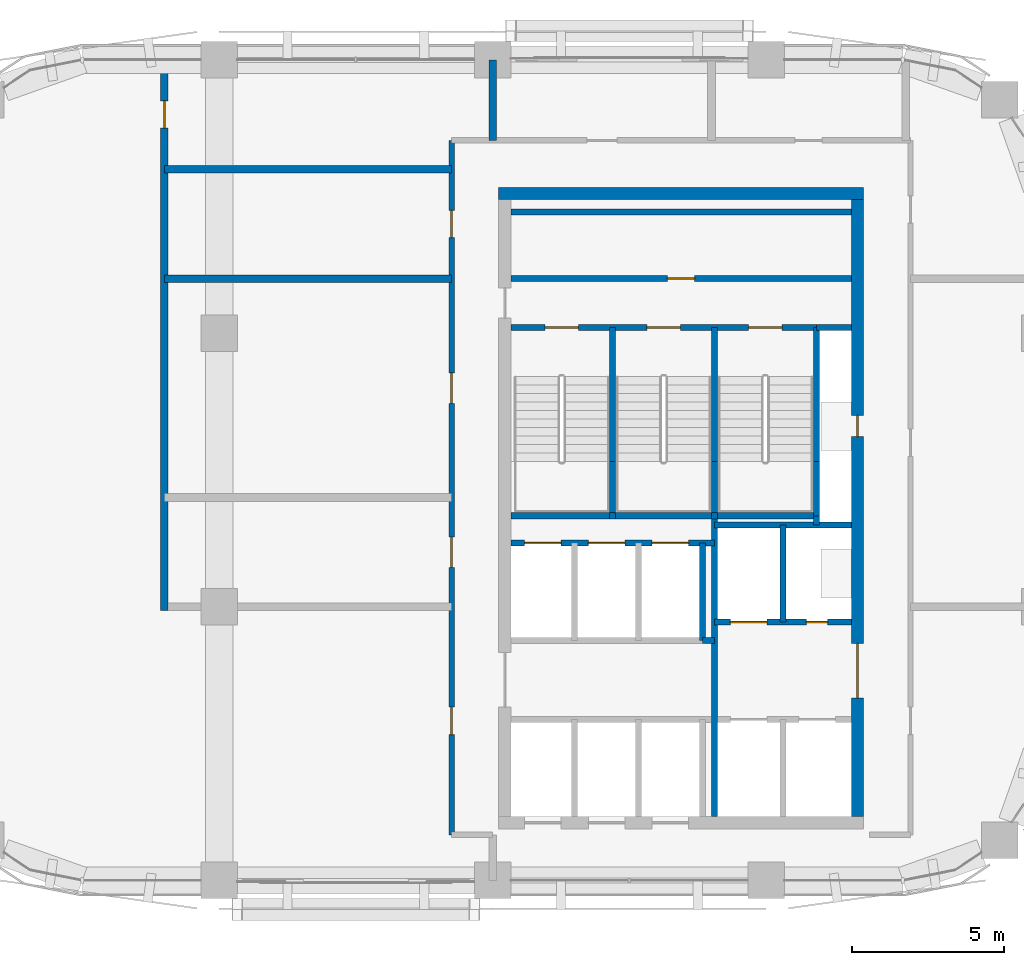
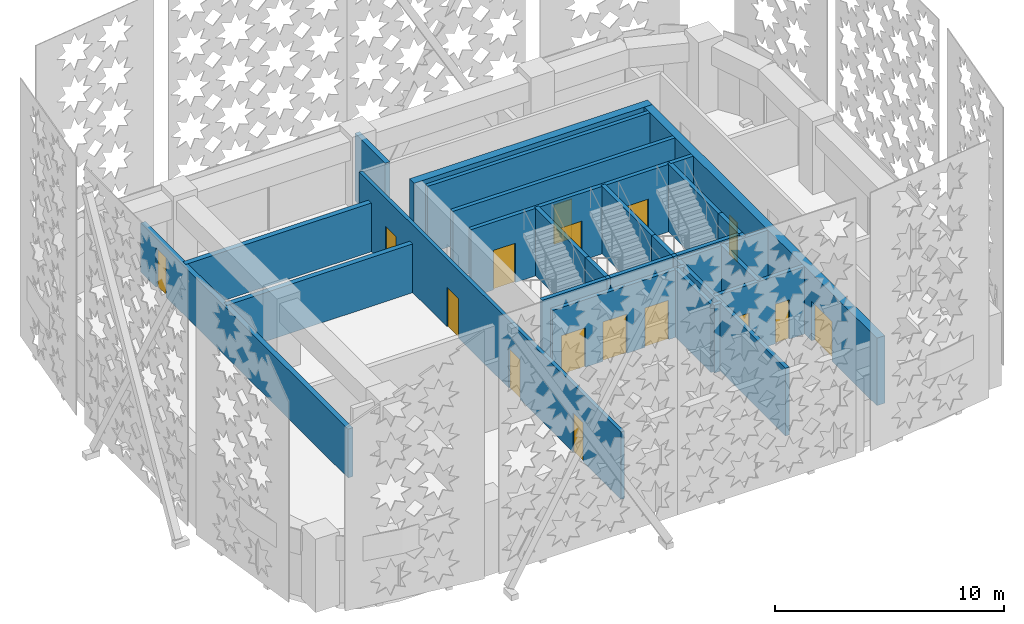
# One storey, part 8 of 17: 30 walls, 16 doors, 16 openings.
"""IFC4 building model written with IfcOpenShell, lengths in metres."""

from ifc_helpers import new_model, si_unit, direction, frame, frame_2d, origin, place, context, subcontext, project, spatial, rectangle, extrude, material, layer, layer_set, type_object, element, fill, save


model = new_model("IFC4")

# Units and contexts
model_context = context("Model", 3, precision=1e-05, world=origin(), true_north=direction((0.0, 1.0)))
body_context = subcontext(model_context, "Body", "Model", "MODEL_VIEW")
ifc_project = project(units=[si_unit("LENGTHUNIT", "METRE"), si_unit("AREAUNIT", "SQUARE_METRE"), si_unit("VOLUMEUNIT", "CUBIC_METRE"), si_unit("PLANEANGLEUNIT", "RADIAN"), si_unit("MASSUNIT", "GRAM", prefix="KILO")], contexts=[model_context])

# Site, building, storey
site_placement = place(None, origin())
site = spatial("IfcSite", under=ifc_project, at=site_placement, CompositionType="ELEMENT")
building_placement = place(site_placement, origin())
building = spatial("IfcBuilding", under=site, at=building_placement, Name="Tessera Arch", CompositionType="ELEMENT")
storey_placement = place(building_placement, frame((0.0, 0.0, 281.300048828125)))
storey = spatial("IfcBuildingStorey", under=building, at=storey_placement, Name="L68", CompositionType="ELEMENT", Elevation=281.300048828125)

# Wall
ifc_material_1 = material(Name="Gypsum board on steel stud", Category="steel")
ifc_layer_1 = layer(ifc_material_1, 0.125)
ifc_layer_set_1 = layer_set([ifc_layer_1], Name="Core partition 125 EI 60")
wall_type_1 = type_object("IfcWallType", Name="Core partition 125 EI 60", PredefinedType="PARTITIONING", material=ifc_layer_set_1)
wall_1_placement = place(storey_placement, frame((42.89990234375, 34.89990234375, 0.0), z_axis=(0.0, 0.0, 1.0), x_axis=(1.0, 0.0, 0.0)))
element("IfcWall", 1, at=wall_1_placement, inside=storey, type_object=wall_type_1, Name="L68 C1 partition wall 18", PredefinedType="PARTITIONING", context=body_context, shape_type="SweptSolid", body=[
    extrude(rectangle(XDim=0.400146484375, YDim=0.199951171875, at=frame_2d((0.2001953125, 0.0))), origin(), (0.0, 0.0, 1.0), 3.599853515625),
])

# Wall, opening, door
wall_2_placement = place(storey_placement, frame((36.60009765625, 46.800048828125, 0.0), z_axis=(0.0, 0.0, 1.0), x_axis=(1.0, 0.0, 0.0)))
wall_2 = element("IfcWall", 2, at=wall_2_placement, inside=storey, type_object=wall_type_1, Name="L68 C1 partition wall 30", PredefinedType="PARTITIONING", context=body_context, shape_type="SweptSolid", body=[
    extrude(rectangle(XDim=11.199951171875, YDim=0.199951171875, at=frame_2d((5.60009765625, 0.0))), origin(), (0.0, 0.0, 1.0), 3.599853515625),
])
opening_1_placement = place(wall_2_placement, frame((5.14990234375, 0.0, 0.0)))
opening_1 = element("IfcOpeningElement", 3, at=opening_1_placement, cuts=wall_2, Name="Opening L68-C18", PredefinedType="OPENING", context=body_context, shape_type="SweptSolid", body=[
    extrude(rectangle(XDim=0.89990234375, YDim=2.10009765625, at=frame_2d((0.449951171875, 1.050048828125))), frame((0.0, 0.10986328125, 0.0), z_axis=(0.0, -1.0, 0.0), x_axis=(1.0, 0.0, 0.0)), (0.0, 0.0, 1.0), 0.219970703125),
])
ifc_material_2 = material(Name="Steel door leaf", Category="steel")
door_type_1 = type_object("IfcDoorType", Name="Store door FD30S 900 x 2100", OperationType="SINGLE_SWING_LEFT", PredefinedType="DOOR", material=ifc_material_2)
door_1_placement = place(opening_1_placement, origin())
door_1 = element("IfcDoor", 4, at=door_1_placement, inside=storey, type_object=door_type_1, Name="L68 C1 door 18 C18 type D09", OperationType="SINGLE_SWING_RIGHT", OverallHeight=2.10009765625, OverallWidth=0.89990234375, PredefinedType="DOOR", context=body_context, shape_type="SweptSolid", body=[
    extrude(rectangle(XDim=0.89990234375, YDim=2.10009765625, at=frame_2d((0.449951171875, 1.050048828125))), frame((0.0, 0.02490234375, 0.0), z_axis=(0.0, -1.0, 0.0), x_axis=(1.0, 0.0, 0.0)), (0.0, 0.0, 1.0), 0.050048828125),
])
fill(opening_1, door_1)

# Walls
wall_3_placement = place(storey_placement, frame((36.60009765625, 49.0, 0.0), z_axis=(0.0, 0.0, 1.0), x_axis=(1.0, 0.0, 0.0)))
element("IfcWall", 5, at=wall_3_placement, inside=storey, type_object=wall_type_1, Name="L68 C1 partition wall 31", PredefinedType="PARTITIONING", context=body_context, shape_type="SweptSolid", body=[
    extrude(rectangle(XDim=11.199951171875, YDim=0.199951171875, at=frame_2d((5.60009765625, 0.0))), origin(), (0.0, 0.0, 1.0), 3.599853515625),
])
ifc_material_3 = material(Name="Concrete C50/60", Category="concrete")
ifc_layer_2 = layer(ifc_material_3, 0.39990234375)
ifc_layer_set_2 = layer_set([ifc_layer_2], Name="Core shell wall 400 C50-60")
wall_type_2 = type_object("IfcWallType", Name="Core shell wall 400 C50-60", PredefinedType="SHEAR", material=ifc_layer_set_2)
wall_4_placement = place(storey_placement, frame((36.199951171875, 49.60009765625, 0.0), z_axis=(0.0, 0.0, 1.0), x_axis=(1.0, 0.0, 0.0)))
element("IfcWall", 6, at=wall_4_placement, inside=storey, type_object=wall_type_2, Name="L68 C1 core wall N", PredefinedType="SHEAR", context=body_context, shape_type="SweptSolid", body=[
    extrude(rectangle(XDim=12.0, YDim=0.39990234375, at=frame_2d((6.0, 0.0))), origin(), (0.0, 0.0, 1.0), 3.599853515625),
])

# Wall, openings, doors
wall_5_placement = place(storey_placement, frame((48.0, 29.10009765625, 0.0), z_axis=(0.0, 0.0, 1.0), x_axis=(0.0, 1.0, 0.0)))
wall_5 = element("IfcWall", 7, at=wall_5_placement, inside=storey, type_object=wall_type_2, Name="L68 C1 core wall E", PredefinedType="SHEAR", context=body_context, shape_type="SweptSolid", body=[
    extrude(rectangle(XDim=20.2998046875, YDim=0.39990234375, at=frame_2d((10.14990234375, 0.0))), origin(), (0.0, 0.0, 1.0), 3.599853515625),
])
opening_2_placement = place(wall_5_placement, frame((12.5, 0.0, 0.0)))
opening_2 = element("IfcOpeningElement", 8, at=opening_2_placement, cuts=wall_5, Name="Opening L68-C14", PredefinedType="OPENING", context=body_context, shape_type="SweptSolid", body=[
    extrude(rectangle(XDim=0.699951171875, YDim=2.10009765625, at=frame_2d((0.35009765625, 1.050048828125))), frame((0.0, 0.2099609375, 0.0), z_axis=(0.0, -1.0, 0.0), x_axis=(1.0, 0.0, 0.0)), (0.0, 0.0, 1.0), 0.419921875),
])
opening_3_placement = place(wall_5_placement, frame((3.89990234375, 0.0, 0.0)))
opening_3 = element("IfcOpeningElement", 9, at=opening_3_placement, cuts=wall_5, Name="Opening L68-C15", PredefinedType="OPENING", context=body_context, shape_type="SweptSolid", body=[
    extrude(rectangle(XDim=1.800048828125, YDim=2.10009765625, at=frame_2d((0.89990234375, 1.050048828125))), frame((0.0, 0.2099609375, 0.0), z_axis=(0.0, -1.0, 0.0), x_axis=(1.0, 0.0, 0.0)), (0.0, 0.0, 1.0), 0.419921875),
])
ifc_material_4 = material(Name="Glazed steel door leaf", Category="steel")
door_type_2 = type_object("IfcDoorType", Name="Lobby double door FD60 1800 x 2100", OperationType="DOUBLE_DOOR_SINGLE_SWING", PredefinedType="DOOR", material=ifc_material_4)
door_2_placement = place(opening_3_placement, origin())
door_2 = element("IfcDoor", 10, at=door_2_placement, inside=storey, type_object=door_type_2, Name="L68 C1 door 15 C15 type D19", OperationType="DOUBLE_DOOR_SINGLE_SWING", OverallHeight=2.10009765625, OverallWidth=1.800048828125, PredefinedType="DOOR", context=body_context, shape_type="SweptSolid", body=[
    extrude(rectangle(XDim=1.800048828125, YDim=2.10009765625, at=frame_2d((0.89990234375, 1.050048828125))), frame((0.0, 0.02490234375, 0.0), z_axis=(0.0, -1.0, 0.0), x_axis=(1.0, 0.0, 0.0)), (0.0, 0.0, 1.0), 0.050048828125),
])
fill(opening_3, door_2)
ifc_material_5 = material(Name="Steel door leaf", Category="steel")
door_type_3 = type_object("IfcDoorType", Name="Service shaft door FD60 700 x 2100", OperationType="SINGLE_SWING_LEFT", PredefinedType="DOOR", material=ifc_material_5)
door_3_placement = place(opening_2_placement, origin())
door_3 = element("IfcDoor", 11, at=door_3_placement, inside=storey, type_object=door_type_3, Name="L68 C1 door 14 C14 type D07", OperationType="SINGLE_SWING_RIGHT", OverallHeight=2.10009765625, OverallWidth=0.699951171875, PredefinedType="DOOR", context=body_context, shape_type="SweptSolid", body=[
    extrude(rectangle(XDim=0.699951171875, YDim=2.10009765625, at=frame_2d((0.35009765625, 1.050048828125))), frame((0.0, 0.02490234375, 0.0), z_axis=(0.0, -1.0, 0.0), x_axis=(1.0, 0.0, 0.0)), (0.0, 0.0, 1.0), 0.050048828125),
])
fill(opening_2, door_3)

ifc_material_6 = material(Name="Gypsum board on deep steel stud with mineral wool", Category="steel")
ifc_layer_3 = layer(ifc_material_6, 0.175048828125)
ifc_layer_set_3 = layer_set([ifc_layer_3], Name="Corridor wall 175 EI 60")
wall_type_3 = type_object("IfcWallType", Name="Corridor wall 175 EI 60", PredefinedType="PARTITIONING", material=ifc_layer_set_3)
wall_6_placement = place(storey_placement, frame((34.64990234375, 28.5, 0.0), z_axis=(0.0, 0.0, 1.0), x_axis=(0.0, 1.0, 0.0)))
wall_6 = element("IfcWall", 12, at=wall_6_placement, inside=storey, type_object=wall_type_3, Name="L68 partition 4", PredefinedType="PARTITIONING", context=body_context, shape_type="SweptSolid", body=[
    extrude(rectangle(XDim=22.85009765625, YDim=0.175048828125, at=frame_2d((11.425048828125, 0.0))), origin(), (0.0, 0.0, 1.0), 3.599853515625),
])
opening_4_placement = place(wall_6_placement, frame((3.300048828125, 0.0, 0.0)))
opening_4 = element("IfcOpeningElement", 13, at=opening_4_placement, cuts=wall_6, Name="Opening L68-D002", PredefinedType="OPENING", context=body_context, shape_type="SweptSolid", body=[
    extrude(rectangle(XDim=0.89990234375, YDim=2.10009765625, at=frame_2d((0.449951171875, 1.050048828125))), frame((0.0, 0.097412109375, 0.0), z_axis=(0.0, -1.0, 0.0), x_axis=(1.0, 0.0, 0.0)), (0.0, 0.0, 1.0), 0.195068359375),
])
opening_5_placement = place(wall_6_placement, frame((8.800048828125, 0.0, 0.0)))
opening_5 = element("IfcOpeningElement", 14, at=opening_5_placement, cuts=wall_6, Name="Opening L68-D003", PredefinedType="OPENING", context=body_context, shape_type="SweptSolid", body=[
    extrude(rectangle(XDim=1.0, YDim=2.10009765625, at=frame_2d((0.5, 1.050048828125))), frame((0.0, 0.097412109375, 0.0), z_axis=(0.0, -1.0, 0.0), x_axis=(1.0, 0.0, 0.0)), (0.0, 0.0, 1.0), 0.195068359375),
])
opening_6_placement = place(wall_6_placement, frame((14.199951171875, 0.0, 0.0)))
opening_6 = element("IfcOpeningElement", 15, at=opening_6_placement, cuts=wall_6, Name="Opening L68-D005", PredefinedType="OPENING", context=body_context, shape_type="SweptSolid", body=[
    extrude(rectangle(XDim=1.0, YDim=2.10009765625, at=frame_2d((0.5, 1.050048828125))), frame((0.0, 0.097412109375, 0.0), z_axis=(0.0, -1.0, 0.0), x_axis=(1.0, 0.0, 0.0)), (0.0, 0.0, 1.0), 0.195068359375),
])
opening_7_placement = place(wall_6_placement, frame((19.64990234375, 0.0, 0.0)))
opening_7 = element("IfcOpeningElement", 16, at=opening_7_placement, cuts=wall_6, Name="Opening L68-D006", PredefinedType="OPENING", context=body_context, shape_type="SweptSolid", body=[
    extrude(rectangle(XDim=0.89990234375, YDim=2.10009765625, at=frame_2d((0.449951171875, 1.050048828125))), frame((0.0, 0.097412109375, 0.0), z_axis=(0.0, -1.0, 0.0), x_axis=(1.0, 0.0, 0.0)), (0.0, 0.0, 1.0), 0.195068359375),
])
ifc_material_7 = material(Name="Fire-rated door leaf")
door_type_4 = type_object("IfcDoorType", Name="Entrance door FD30S 1000 x 2100", OperationType="SINGLE_SWING_LEFT", PredefinedType="DOOR", material=ifc_material_7)
door_4_placement = place(opening_5_placement, origin())
door_4 = element("IfcDoor", 17, at=door_4_placement, inside=storey, type_object=door_type_4, Name="L68 door D003 type D03", OperationType="SINGLE_SWING_LEFT", OverallHeight=2.10009765625, OverallWidth=1.0, PredefinedType="DOOR", context=body_context, shape_type="SweptSolid", body=[
    extrude(rectangle(XDim=1.0, YDim=2.10009765625, at=frame_2d((0.5, 1.050048828125))), frame((0.0, 0.02490234375, 0.0), z_axis=(0.0, -1.0, 0.0), x_axis=(1.0, 0.0, 0.0)), (0.0, 0.0, 1.0), 0.050048828125),
])
fill(opening_5, door_4)
door_5_placement = place(opening_6_placement, origin())
door_5 = element("IfcDoor", 18, at=door_5_placement, inside=storey, type_object=door_type_4, Name="L68 door D005 type D03", OperationType="SINGLE_SWING_LEFT", OverallHeight=2.10009765625, OverallWidth=1.0, PredefinedType="DOOR", context=body_context, shape_type="SweptSolid", body=[
    extrude(rectangle(XDim=1.0, YDim=2.10009765625, at=frame_2d((0.5, 1.050048828125))), frame((0.0, 0.02490234375, 0.0), z_axis=(0.0, -1.0, 0.0), x_axis=(1.0, 0.0, 0.0)), (0.0, 0.0, 1.0), 0.050048828125),
])
fill(opening_6, door_5)
ifc_material_8 = material(Name="Timber door leaf", Category="wood")
door_type_5 = type_object("IfcDoorType", Name="Room door 900 x 2100", OperationType="SINGLE_SWING_LEFT", PredefinedType="DOOR", material=ifc_material_8)
door_6_placement = place(opening_4_placement, origin())
door_6 = element("IfcDoor", 19, at=door_6_placement, inside=storey, type_object=door_type_5, Name="L68 door D002 type D01", OperationType="SINGLE_SWING_RIGHT", OverallHeight=2.10009765625, OverallWidth=0.89990234375, PredefinedType="DOOR", context=body_context, shape_type="SweptSolid", body=[
    extrude(rectangle(XDim=0.89990234375, YDim=2.10009765625, at=frame_2d((0.449951171875, 1.050048828125))), frame((0.0, 0.02490234375, 0.0), z_axis=(0.0, -1.0, 0.0), x_axis=(1.0, 0.0, 0.0)), (0.0, 0.0, 1.0), 0.050048828125),
])
fill(opening_4, door_6)
door_7_placement = place(opening_7_placement, origin())
door_7 = element("IfcDoor", 20, at=door_7_placement, inside=storey, type_object=door_type_5, Name="L68 door D006 type D01", OperationType="SINGLE_SWING_RIGHT", OverallHeight=2.10009765625, OverallWidth=0.89990234375, PredefinedType="DOOR", context=body_context, shape_type="SweptSolid", body=[
    extrude(rectangle(XDim=0.89990234375, YDim=2.10009765625, at=frame_2d((0.449951171875, 1.050048828125))), frame((0.0, 0.02490234375, 0.0), z_axis=(0.0, -1.0, 0.0), x_axis=(1.0, 0.0, 0.0)), (0.0, 0.0, 1.0), 0.050048828125),
])
fill(opening_7, door_7)

# Walls
ifc_material_9 = material(Name="Double gypsum board on twin steel stud with acoustic mineral wool", Category="steel")
ifc_layer_4 = layer(ifc_material_9, 0.25)
ifc_layer_set_4 = layer_set([ifc_layer_4], Name="Party wall 250 EI 60")
wall_type_4 = type_object("IfcWallType", Name="Party wall 250 EI 60", PredefinedType="PARTITIONING", material=ifc_layer_set_4)
for number, where, z_axis, x_axis, name in (
    (21, (25.199951171875, 46.800048828125, 0.0), (0.0, 0.0, 1.0), (1.0, 0.0, 0.0), "L68 partition 9"),
    (22, (25.199951171875, 50.39990234375, 0.0), (0.0, 0.0, 1.0), (1.0, 0.0, 0.0), "L68 partition 11"),
):
    element("IfcWall", number, at=place(storey_placement, frame(where, z_axis=z_axis, x_axis=x_axis)), inside=storey, type_object=wall_type_4, Name=name, PredefinedType="PARTITIONING", context=body_context, shape_type="SweptSolid", body=[
        extrude(rectangle(XDim=9.449951171875, YDim=0.25, at=frame_2d((4.72509765625, 0.0))), origin(), (0.0, 0.0, 1.0), 2.599853515625),
    ])

# Wall, opening, door
wall_7_placement = place(storey_placement, frame((25.199951171875, 35.875, 0.0), z_axis=(0.0, 0.0, 1.0), x_axis=(0.0, 1.0, 0.0)))
wall_7 = element("IfcWall", 23, at=wall_7_placement, inside=storey, type_object=wall_type_4, Name="L68 partition 12", PredefinedType="PARTITIONING", context=body_context, shape_type="SweptSolid", body=[
    extrude(rectangle(XDim=18.125, YDim=0.25, at=frame_2d((9.0625, 0.0))), origin(), (0.0, 0.0, 1.0), 2.599853515625),
])
opening_8_placement = place(wall_7_placement, frame((15.875, 0.0, 0.0)))
opening_8 = element("IfcOpeningElement", 24, at=opening_8_placement, cuts=wall_7, Name="Opening L68-D010", PredefinedType="OPENING", context=body_context, shape_type="SweptSolid", body=[
    extrude(rectangle(XDim=0.89990234375, YDim=2.10009765625, at=frame_2d((0.449951171875, 1.050048828125))), frame((0.0, 0.135009765625, 0.0), z_axis=(0.0, -1.0, 0.0), x_axis=(1.0, 0.0, 0.0)), (0.0, 0.0, 1.0), 0.27001953125),
])
door_8_placement = place(opening_8_placement, origin())
door_8 = element("IfcDoor", 25, at=door_8_placement, inside=storey, type_object=door_type_5, Name="L68 door D010 type D01", OperationType="SINGLE_SWING_LEFT", OverallHeight=2.10009765625, OverallWidth=0.89990234375, PredefinedType="DOOR", context=body_context, shape_type="SweptSolid", body=[
    extrude(rectangle(XDim=0.89990234375, YDim=2.10009765625, at=frame_2d((0.449951171875, 1.050048828125))), frame((0.0, 0.02490234375, 0.0), z_axis=(0.0, -1.0, 0.0), x_axis=(1.0, 0.0, 0.0)), (0.0, 0.0, 1.0), 0.050048828125),
])
fill(opening_8, door_8)

# Walls
wall_8_placement = place(storey_placement, frame((36.0, 51.35009765625, 0.0), z_axis=(0.0, 0.0, 1.0), x_axis=(0.0, 1.0, 0.0)))
element("IfcWall", 26, at=wall_8_placement, inside=storey, type_object=wall_type_4, Name="L68 partition 14", PredefinedType="PARTITIONING", context=body_context, shape_type="SweptSolid", body=[
    extrude(rectangle(XDim=2.64990234375, YDim=0.25, at=frame_2d((1.324951171875, 0.0))), origin(), (0.0, 0.0, 1.0), 3.599853515625),
])
ifc_material_10 = material(Name="Concrete C40/50", Category="concrete")
ifc_layer_5 = layer(ifc_material_10, 0.199951171875)
ifc_layer_set_5 = layer_set([ifc_layer_5], Name="Shaft wall 200 EI 120")
wall_type_5 = type_object("IfcWallType", Name="Shaft wall 200 EI 120", PredefinedType="SOLIDWALL", material=ifc_layer_set_5)
wall_9_placement = place(storey_placement, frame((42.89990234375, 34.89990234375, 0.0), z_axis=(0.0, 0.0, 1.0), x_axis=(0.0, 1.0, 0.0)))
element("IfcWall", 27, at=wall_9_placement, inside=storey, type_object=wall_type_5, Name="L68 C1 shaft wall 8", PredefinedType="SOLIDWALL", context=body_context, shape_type="SweptSolid", body=[
    extrude(rectangle(XDim=3.2001953125, YDim=0.199951171875, at=frame_2d((1.60009765625, 0.0))), origin(), (0.0, 0.0, 1.0), 3.599853515625),
])
wall_10_placement = place(storey_placement, frame((43.300048828125, 29.10009765625, 0.0), z_axis=(0.0, 0.0, 1.0), x_axis=(0.0, 1.0, 0.0)))
element("IfcWall", 28, at=wall_10_placement, inside=storey, type_object=wall_type_5, Name="L68 C1 shaft wall 9", PredefinedType="SOLIDWALL", context=body_context, shape_type="SweptSolid", body=[
    extrude(rectangle(XDim=9.89990234375, YDim=0.199951171875, at=frame_2d((4.949951171875, 0.0))), origin(), (0.0, 0.0, 1.0), 3.599853515625),
])
wall_11_placement = place(storey_placement, frame((45.550048828125, 35.5, 0.0), z_axis=(0.0, 0.0, 1.0), x_axis=(0.0, 1.0, 0.0)))
element("IfcWall", 29, at=wall_11_placement, inside=storey, type_object=wall_type_5, Name="L68 C1 shaft wall 13", PredefinedType="SOLIDWALL", context=body_context, shape_type="SweptSolid", body=[
    extrude(rectangle(XDim=3.199951171875, YDim=0.199951171875, at=frame_2d((1.60009765625, 0.0))), origin(), (0.0, 0.0, 1.0), 3.599853515625),
])
wall_12_placement = place(storey_placement, frame((46.64990234375, 38.699951171875, 0.0), z_axis=(0.0, 0.0, 1.0), x_axis=(0.0, 1.0, 0.0)))
element("IfcWall", 30, at=wall_12_placement, inside=storey, type_object=wall_type_5, Name="L68 C1 shaft wall 14", PredefinedType="SOLIDWALL", context=body_context, shape_type="SweptSolid", body=[
    extrude(rectangle(XDim=0.300048828125, YDim=0.199951171875, at=frame_2d((0.14990234375, 0.0))), origin(), (0.0, 0.0, 1.0), 3.599853515625),
])

# Wall, openings, doors
wall_13_placement = place(storey_placement, frame((43.300048828125, 35.5, 0.0), z_axis=(0.0, 0.0, 1.0), x_axis=(1.0, 0.0, 0.0)))
wall_13 = element("IfcWall", 31, at=wall_13_placement, inside=storey, type_object=wall_type_5, Name="L68 C1 shaft wall 20", PredefinedType="SOLIDWALL", context=body_context, shape_type="SweptSolid", body=[
    extrude(rectangle(XDim=4.5, YDim=0.199951171875, at=frame_2d((2.25, 0.0))), origin(), (0.0, 0.0, 1.0), 3.599853515625),
])
opening_9_placement = place(wall_13_placement, frame((0.52490234375, 0.0, 0.0)))
opening_9 = element("IfcOpeningElement", 32, at=opening_9_placement, cuts=wall_13, Name="Opening L68-C09", PredefinedType="OPENING", context=body_context, shape_type="SweptSolid", body=[
    extrude(rectangle(XDim=1.199951171875, YDim=2.10009765625, at=frame_2d((0.60009765625, 1.050048828125))), frame((0.0, 0.10986328125, 0.0), z_axis=(0.0, -1.0, 0.0), x_axis=(1.0, 0.0, 0.0)), (0.0, 0.0, 1.0), 0.219970703125),
])
opening_10_placement = place(wall_13_placement, frame((3.02490234375, 0.0, 0.0)))
opening_10 = element("IfcOpeningElement", 33, at=opening_10_placement, cuts=wall_13, Name="Opening L68-C16", PredefinedType="OPENING", context=body_context, shape_type="SweptSolid", body=[
    extrude(rectangle(XDim=0.699951171875, YDim=2.10009765625, at=frame_2d((0.35009765625, 1.050048828125))), frame((0.0, 0.10986328125, 0.0), z_axis=(0.0, -1.0, 0.0), x_axis=(1.0, 0.0, 0.0)), (0.0, 0.0, 1.0), 0.219970703125),
])
door_9_placement = place(opening_10_placement, origin())
door_9 = element("IfcDoor", 34, at=door_9_placement, inside=storey, type_object=door_type_3, Name="L68 C1 door 16 C16 type D07", OperationType="SINGLE_SWING_RIGHT", OverallHeight=2.10009765625, OverallWidth=0.699951171875, PredefinedType="DOOR", context=body_context, shape_type="SweptSolid", body=[
    extrude(rectangle(XDim=0.699951171875, YDim=2.10009765625, at=frame_2d((0.35009765625, 1.050048828125))), frame((0.0, 0.02490234375, 0.0), z_axis=(0.0, -1.0, 0.0), x_axis=(1.0, 0.0, 0.0)), (0.0, 0.0, 1.0), 0.050048828125),
])
fill(opening_10, door_9)
ifc_material_11 = material(Name="Stainless steel AISI 304", Category="steel")
door_type_6 = type_object("IfcDoorType", Name="Sliding landing door 1200 x 2100", OperationType="SLIDING_TO_LEFT", PredefinedType="DOOR", material=ifc_material_11)
door_10_placement = place(opening_9_placement, origin())
door_10 = element("IfcDoor", 35, at=door_10_placement, inside=storey, type_object=door_type_6, Name="L68 SV2 lift landing door C09 type LD", OperationType="SLIDING_TO_LEFT", OverallHeight=2.10009765625, OverallWidth=1.199951171875, PredefinedType="DOOR", context=body_context, shape_type="SweptSolid", body=[
    extrude(rectangle(XDim=1.199951171875, YDim=2.10009765625, at=frame_2d((0.60009765625, 1.050048828125))), frame((0.0, 0.02490234375, 0.0), z_axis=(0.0, -1.0, 0.0), x_axis=(1.0, 0.0, 0.0)), (0.0, 0.0, 1.0), 0.050048828125),
])
fill(opening_9, door_10)

wall_14_placement = place(storey_placement, frame((36.60009765625, 38.10009765625, 0.0), z_axis=(0.0, 0.0, 1.0), x_axis=(1.0, 0.0, 0.0)))
wall_14 = element("IfcWall", 36, at=wall_14_placement, inside=storey, type_object=wall_type_5, Name="L68 C1 shaft wall 21", PredefinedType="SOLIDWALL", context=body_context, shape_type="SweptSolid", body=[
    extrude(rectangle(XDim=6.699951171875, YDim=0.199951171875, at=frame_2d((3.35009765625, 0.0))), origin(), (0.0, 0.0, 1.0), 3.599853515625),
])
opening_11_placement = place(wall_14_placement, frame((0.449951171875, 0.0, 0.0)))
opening_11 = element("IfcOpeningElement", 37, at=opening_11_placement, cuts=wall_14, Name="Opening L68-C02", PredefinedType="OPENING", context=body_context, shape_type="SweptSolid", body=[
    extrude(rectangle(XDim=1.199951171875, YDim=2.10009765625, at=frame_2d((0.60009765625, 1.050048828125))), frame((0.0, 0.10986328125, 0.0), z_axis=(0.0, -1.0, 0.0), x_axis=(1.0, 0.0, 0.0)), (0.0, 0.0, 1.0), 0.219970703125),
])
opening_12_placement = place(wall_14_placement, frame((2.550048828125, 0.0, 0.0)))
opening_12 = element("IfcOpeningElement", 38, at=opening_12_placement, cuts=wall_14, Name="Opening L68-C04", PredefinedType="OPENING", context=body_context, shape_type="SweptSolid", body=[
    extrude(rectangle(XDim=1.199951171875, YDim=2.10009765625, at=frame_2d((0.60009765625, 1.050048828125))), frame((0.0, 0.10986328125, 0.0), z_axis=(0.0, -1.0, 0.0), x_axis=(1.0, 0.0, 0.0)), (0.0, 0.0, 1.0), 0.219970703125),
])
opening_13_placement = place(wall_14_placement, frame((4.64990234375, 0.0, 0.0)))
opening_13 = element("IfcOpeningElement", 39, at=opening_13_placement, cuts=wall_14, Name="Opening L68-C06", PredefinedType="OPENING", context=body_context, shape_type="SweptSolid", body=[
    extrude(rectangle(XDim=1.199951171875, YDim=2.10009765625, at=frame_2d((0.60009765625, 1.050048828125))), frame((0.0, 0.10986328125, 0.0), z_axis=(0.0, -1.0, 0.0), x_axis=(1.0, 0.0, 0.0)), (0.0, 0.0, 1.0), 0.219970703125),
])
door_11_placement = place(opening_11_placement, origin())
door_11 = element("IfcDoor", 40, at=door_11_placement, inside=storey, type_object=door_type_6, Name="L68 HR4 lift landing door C02 type LD", OperationType="SLIDING_TO_LEFT", OverallHeight=2.10009765625, OverallWidth=1.199951171875, PredefinedType="DOOR", context=body_context, shape_type="SweptSolid", body=[
    extrude(rectangle(XDim=1.199951171875, YDim=2.10009765625, at=frame_2d((0.60009765625, 1.050048828125))), frame((0.0, 0.02490234375, 0.0), z_axis=(0.0, -1.0, 0.0), x_axis=(1.0, 0.0, 0.0)), (0.0, 0.0, 1.0), 0.050048828125),
])
fill(opening_11, door_11)
door_12_placement = place(opening_12_placement, origin())
door_12 = element("IfcDoor", 41, at=door_12_placement, inside=storey, type_object=door_type_6, Name="L68 HR5 lift landing door C04 type LD", OperationType="SLIDING_TO_LEFT", OverallHeight=2.10009765625, OverallWidth=1.199951171875, PredefinedType="DOOR", context=body_context, shape_type="SweptSolid", body=[
    extrude(rectangle(XDim=1.199951171875, YDim=2.10009765625, at=frame_2d((0.60009765625, 1.050048828125))), frame((0.0, 0.02490234375, 0.0), z_axis=(0.0, -1.0, 0.0), x_axis=(1.0, 0.0, 0.0)), (0.0, 0.0, 1.0), 0.050048828125),
])
fill(opening_12, door_12)
door_13_placement = place(opening_13_placement, origin())
door_13 = element("IfcDoor", 42, at=door_13_placement, inside=storey, type_object=door_type_6, Name="L68 HR6 lift landing door C06 type LD", OperationType="SLIDING_TO_LEFT", OverallHeight=2.10009765625, OverallWidth=1.199951171875, PredefinedType="DOOR", context=body_context, shape_type="SweptSolid", body=[
    extrude(rectangle(XDim=1.199951171875, YDim=2.10009765625, at=frame_2d((0.60009765625, 1.050048828125))), frame((0.0, 0.02490234375, 0.0), z_axis=(0.0, -1.0, 0.0), x_axis=(1.0, 0.0, 0.0)), (0.0, 0.0, 1.0), 0.050048828125),
])
fill(opening_13, door_13)

# Walls
wall_15_placement = place(storey_placement, frame((43.300048828125, 38.699951171875, 0.0), z_axis=(0.0, 0.0, 1.0), x_axis=(1.0, 0.0, 0.0)))
element("IfcWall", 43, at=wall_15_placement, inside=storey, type_object=wall_type_5, Name="L68 C1 shaft wall 22", PredefinedType="SOLIDWALL", context=body_context, shape_type="SweptSolid", body=[
    extrude(rectangle(XDim=4.5, YDim=0.199951171875, at=frame_2d((2.25, 0.0))), origin(), (0.0, 0.0, 1.0), 3.599853515625),
])
wall_16_placement = place(storey_placement, frame((46.64990234375, 45.199951171875, 0.0), z_axis=(0.0, 0.0, 1.0), x_axis=(1.0, 0.0, 0.0)))
element("IfcWall", 44, at=wall_16_placement, inside=storey, type_object=wall_type_5, Name="L68 C1 shaft wall 28", PredefinedType="SOLIDWALL", context=body_context, shape_type="SweptSolid", body=[
    extrude(rectangle(XDim=1.150146484375, YDim=0.199951171875, at=frame_2d((0.5751953125, 0.0))), origin(), (0.0, 0.0, 1.0), 3.599853515625),
])
ifc_material_12 = material(Name="Concrete C40/50", Category="concrete")
ifc_layer_6 = layer(ifc_material_12, 0.199951171875)
ifc_layer_set_6 = layer_set([ifc_layer_6], Name="Stair well wall 200 REI 180")
wall_type_6 = type_object("IfcWallType", Name="Stair well wall 200 REI 180", PredefinedType="SOLIDWALL", material=ifc_layer_set_6)
wall_17_placement = place(storey_placement, frame((39.949951171875, 39.0, 0.0), z_axis=(0.0, 0.0, 1.0), x_axis=(0.0, 1.0, 0.0)))
element("IfcWall", 45, at=wall_17_placement, inside=storey, type_object=wall_type_6, Name="L68 C1 shaft wall 3", PredefinedType="SOLIDWALL", context=body_context, shape_type="SweptSolid", body=[
    extrude(rectangle(XDim=1.780029296875, YDim=0.199951171875, at=frame_2d((0.89013671875, 0.0))), origin(), (0.0, 0.0, 1.0), 3.599853515625),
])
wall_18_placement = place(storey_placement, frame((39.949951171875, 40.780029296875, 0.0), z_axis=(0.0, 0.0, 1.0), x_axis=(0.0, 1.0, 0.0)))
element("IfcWall", 46, at=wall_18_placement, inside=storey, type_object=wall_type_6, Name="L68 C1 shaft wall 4", PredefinedType="SOLIDWALL", context=body_context, shape_type="SweptSolid", body=[
    extrude(rectangle(XDim=4.419921875, YDim=0.199951171875, at=frame_2d((2.2099609375, 0.0))), origin(), (0.0, 0.0, 1.0), 3.599853515625),
])
wall_19_placement = place(storey_placement, frame((43.300048828125, 39.0, 0.0), z_axis=(0.0, 0.0, 1.0), x_axis=(0.0, 1.0, 0.0)))
element("IfcWall", 47, at=wall_19_placement, inside=storey, type_object=wall_type_6, Name="L68 C1 shaft wall 10", PredefinedType="SOLIDWALL", context=body_context, shape_type="SweptSolid", body=[
    extrude(rectangle(XDim=1.780029296875, YDim=0.199951171875, at=frame_2d((0.89013671875, 0.0))), origin(), (0.0, 0.0, 1.0), 3.599853515625),
])
wall_20_placement = place(storey_placement, frame((43.300048828125, 40.780029296875, 0.0), z_axis=(0.0, 0.0, 1.0), x_axis=(0.0, 1.0, 0.0)))
element("IfcWall", 48, at=wall_20_placement, inside=storey, type_object=wall_type_6, Name="L68 C1 shaft wall 11", PredefinedType="SOLIDWALL", context=body_context, shape_type="SweptSolid", body=[
    extrude(rectangle(XDim=4.419921875, YDim=0.199951171875, at=frame_2d((2.2099609375, 0.0))), origin(), (0.0, 0.0, 1.0), 3.599853515625),
])
wall_21_placement = place(storey_placement, frame((46.64990234375, 39.0, 0.0), z_axis=(0.0, 0.0, 1.0), x_axis=(0.0, 1.0, 0.0)))
element("IfcWall", 49, at=wall_21_placement, inside=storey, type_object=wall_type_6, Name="L68 C1 shaft wall 15", PredefinedType="SOLIDWALL", context=body_context, shape_type="SweptSolid", body=[
    extrude(rectangle(XDim=1.780029296875, YDim=0.199951171875, at=frame_2d((0.89013671875, 0.0))), origin(), (0.0, 0.0, 1.0), 3.599853515625),
])
wall_22_placement = place(storey_placement, frame((46.64990234375, 40.780029296875, 0.0), z_axis=(0.0, 0.0, 1.0), x_axis=(0.0, 1.0, 0.0)))
element("IfcWall", 50, at=wall_22_placement, inside=storey, type_object=wall_type_6, Name="L68 C1 shaft wall 16", PredefinedType="SOLIDWALL", context=body_context, shape_type="SweptSolid", body=[
    extrude(rectangle(XDim=4.419921875, YDim=0.199951171875, at=frame_2d((2.2099609375, 0.0))), origin(), (0.0, 0.0, 1.0), 3.599853515625),
])
wall_23_placement = place(storey_placement, frame((36.60009765625, 39.0, 0.0), z_axis=(0.0, 0.0, 1.0), x_axis=(1.0, 0.0, 0.0)))
element("IfcWall", 51, at=wall_23_placement, inside=storey, type_object=wall_type_6, Name="L68 C1 shaft wall 23", PredefinedType="SOLIDWALL", context=body_context, shape_type="SweptSolid", body=[
    extrude(rectangle(XDim=3.25, YDim=0.199951171875, at=frame_2d((1.625, 0.0))), origin(), (0.0, 0.0, 1.0), 3.599853515625),
])
wall_24_placement = place(storey_placement, frame((39.85009765625, 39.0, 0.0), z_axis=(0.0, 0.0, 1.0), x_axis=(1.0, 0.0, 0.0)))
element("IfcWall", 52, at=wall_24_placement, inside=storey, type_object=wall_type_6, Name="L68 C1 shaft wall 24", PredefinedType="SOLIDWALL", context=body_context, shape_type="SweptSolid", body=[
    extrude(rectangle(XDim=0.199951171875, YDim=0.199951171875, at=frame_2d((0.10009765625, 0.0))), origin(), (0.0, 0.0, 1.0), 3.599853515625),
])
wall_25_placement = place(storey_placement, frame((40.050048828125, 39.0, 0.0), z_axis=(0.0, 0.0, 1.0), x_axis=(1.0, 0.0, 0.0)))
element("IfcWall", 53, at=wall_25_placement, inside=storey, type_object=wall_type_6, Name="L68 C1 shaft wall 25", PredefinedType="SOLIDWALL", context=body_context, shape_type="SweptSolid", body=[
    extrude(rectangle(XDim=3.14990234375, YDim=0.199951171875, at=frame_2d((1.574951171875, 0.0))), origin(), (0.0, 0.0, 1.0), 3.599853515625),
])
wall_26_placement = place(storey_placement, frame((43.199951171875, 39.0, 0.0), z_axis=(0.0, 0.0, 1.0), x_axis=(1.0, 0.0, 0.0)))
element("IfcWall", 54, at=wall_26_placement, inside=storey, type_object=wall_type_6, Name="L68 C1 shaft wall 26", PredefinedType="SOLIDWALL", context=body_context, shape_type="SweptSolid", body=[
    extrude(rectangle(XDim=0.199951171875, YDim=0.199951171875, at=frame_2d((0.10009765625, 0.0))), origin(), (0.0, 0.0, 1.0), 3.599853515625),
])
wall_27_placement = place(storey_placement, frame((43.39990234375, 39.0, 0.0), z_axis=(0.0, 0.0, 1.0), x_axis=(1.0, 0.0, 0.0)))
element("IfcWall", 55, at=wall_27_placement, inside=storey, type_object=wall_type_6, Name="L68 C1 shaft wall 27", PredefinedType="SOLIDWALL", context=body_context, shape_type="SweptSolid", body=[
    extrude(rectangle(XDim=3.25, YDim=0.199951171875, at=frame_2d((1.625, 0.0))), origin(), (0.0, 0.0, 1.0), 3.599853515625),
])

# Wall, openings, doors
wall_28_placement = place(storey_placement, frame((36.60009765625, 45.199951171875, 0.0), z_axis=(0.0, 0.0, 1.0), x_axis=(1.0, 0.0, 0.0)))
wall_28 = element("IfcWall", 56, at=wall_28_placement, inside=storey, type_object=wall_type_6, Name="L68 C1 shaft wall 29", PredefinedType="SOLIDWALL", context=body_context, shape_type="SweptSolid", body=[
    extrude(rectangle(XDim=10.0498046875, YDim=0.199951171875, at=frame_2d((5.02490234375, 0.0))), origin(), (0.0, 0.0, 1.0), 3.599853515625),
])
opening_14_placement = place(wall_28_placement, frame((1.125, 0.0, 0.0)))
opening_14 = element("IfcOpeningElement", 57, at=opening_14_placement, cuts=wall_28, Name="Opening L68-C11", PredefinedType="OPENING", context=body_context, shape_type="SweptSolid", body=[
    extrude(rectangle(XDim=1.10009765625, YDim=2.10009765625, at=frame_2d((0.550048828125, 1.050048828125))), frame((0.0, 0.10986328125, 0.0), z_axis=(0.0, -1.0, 0.0), x_axis=(1.0, 0.0, 0.0)), (0.0, 0.0, 1.0), 0.219970703125),
])
opening_15_placement = place(wall_28_placement, frame((4.47509765625, 0.0, 0.0)))
opening_15 = element("IfcOpeningElement", 58, at=opening_15_placement, cuts=wall_28, Name="Opening L68-C12", PredefinedType="OPENING", context=body_context, shape_type="SweptSolid", body=[
    extrude(rectangle(XDim=1.10009765625, YDim=2.10009765625, at=frame_2d((0.550048828125, 1.050048828125))), frame((0.0, 0.10986328125, 0.0), z_axis=(0.0, -1.0, 0.0), x_axis=(1.0, 0.0, 0.0)), (0.0, 0.0, 1.0), 0.219970703125),
])
opening_16_placement = place(wall_28_placement, frame((7.824951171875, 0.0, 0.0)))
opening_16 = element("IfcOpeningElement", 59, at=opening_16_placement, cuts=wall_28, Name="Opening L68-C13", PredefinedType="OPENING", context=body_context, shape_type="SweptSolid", body=[
    extrude(rectangle(XDim=1.10009765625, YDim=2.10009765625, at=frame_2d((0.550048828125, 1.050048828125))), frame((0.0, 0.10986328125, 0.0), z_axis=(0.0, -1.0, 0.0), x_axis=(1.0, 0.0, 0.0)), (0.0, 0.0, 1.0), 0.219970703125),
])
ifc_material_13 = material(Name="Steel door leaf", Category="steel")
door_type_7 = type_object("IfcDoorType", Name="Stair door FD60 1100 x 2100", OperationType="SINGLE_SWING_LEFT", PredefinedType="DOOR", material=ifc_material_13)
door_14_placement = place(opening_14_placement, origin())
door_14 = element("IfcDoor", 60, at=door_14_placement, inside=storey, type_object=door_type_7, Name="L68 C1 door 11 C11 type D05", OperationType="SINGLE_SWING_LEFT", OverallHeight=2.10009765625, OverallWidth=1.10009765625, PredefinedType="DOOR", context=body_context, shape_type="SweptSolid", body=[
    extrude(rectangle(XDim=1.10009765625, YDim=2.10009765625, at=frame_2d((0.550048828125, 1.050048828125))), frame((0.0, 0.02490234375, 0.0), z_axis=(0.0, -1.0, 0.0), x_axis=(1.0, 0.0, 0.0)), (0.0, 0.0, 1.0), 0.050048828125),
])
fill(opening_14, door_14)
door_15_placement = place(opening_15_placement, origin())
door_15 = element("IfcDoor", 61, at=door_15_placement, inside=storey, type_object=door_type_7, Name="L68 C1 door 12 C12 type D05", OperationType="SINGLE_SWING_RIGHT", OverallHeight=2.10009765625, OverallWidth=1.10009765625, PredefinedType="DOOR", context=body_context, shape_type="SweptSolid", body=[
    extrude(rectangle(XDim=1.10009765625, YDim=2.10009765625, at=frame_2d((0.550048828125, 1.050048828125))), frame((0.0, 0.02490234375, 0.0), z_axis=(0.0, -1.0, 0.0), x_axis=(1.0, 0.0, 0.0)), (0.0, 0.0, 1.0), 0.050048828125),
])
fill(opening_15, door_15)
door_16_placement = place(opening_16_placement, origin())
door_16 = element("IfcDoor", 62, at=door_16_placement, inside=storey, type_object=door_type_7, Name="L68 C1 door 13 C13 type D05", OperationType="SINGLE_SWING_RIGHT", OverallHeight=2.10009765625, OverallWidth=1.10009765625, PredefinedType="DOOR", context=body_context, shape_type="SweptSolid", body=[
    extrude(rectangle(XDim=1.10009765625, YDim=2.10009765625, at=frame_2d((0.550048828125, 1.050048828125))), frame((0.0, 0.02490234375, 0.0), z_axis=(0.0, -1.0, 0.0), x_axis=(1.0, 0.0, 0.0)), (0.0, 0.0, 1.0), 0.050048828125),
])
fill(opening_16, door_16)

save(model, "model.ifc")
